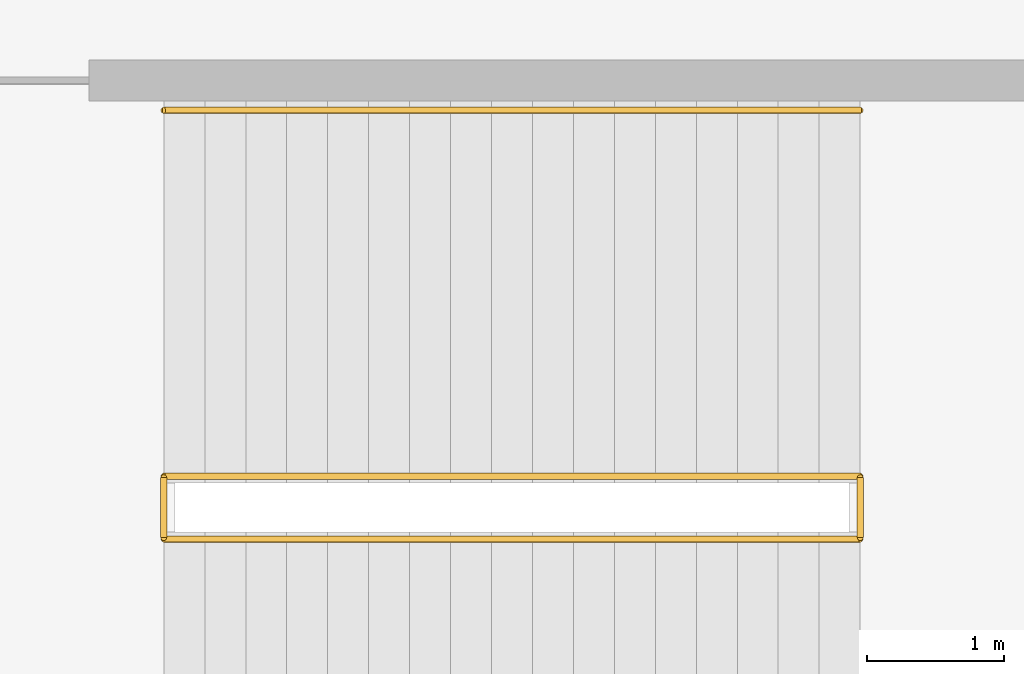
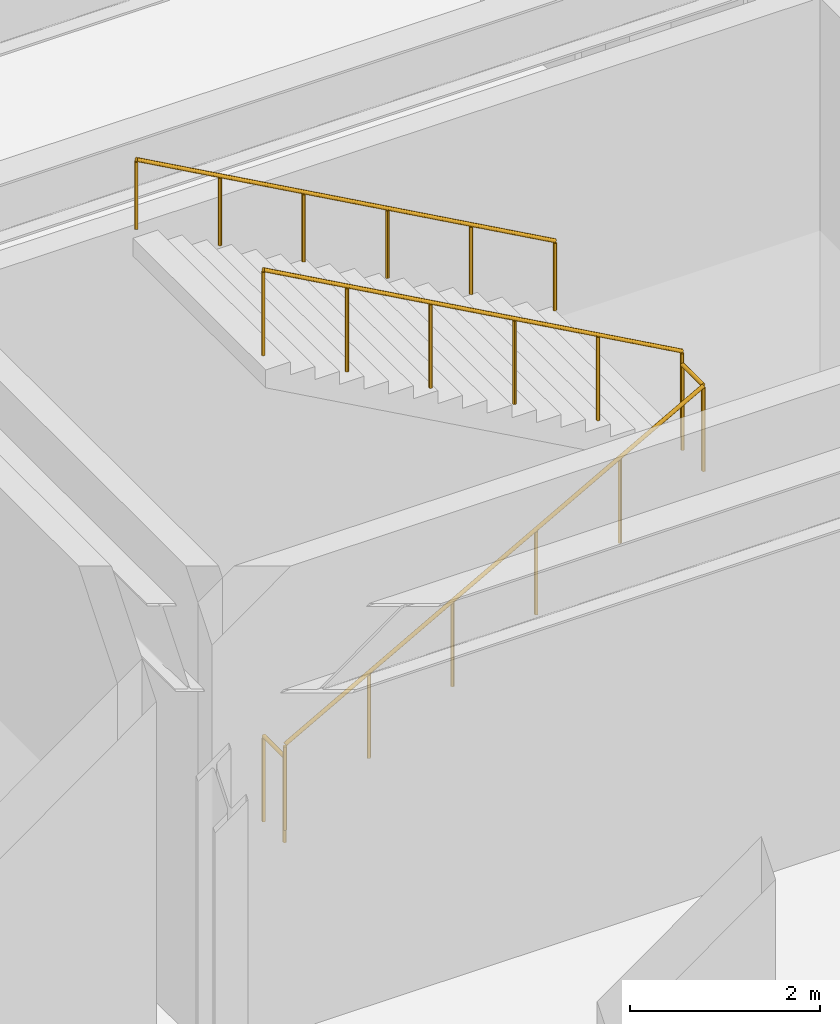
# One storey, part 105 of 105: 5 railings.
"""IFC4 building model written with IfcOpenShell, lengths in metres."""

from ifc_helpers import new_model, si_unit, direction, frame, origin, origin_2d, place, context, subcontext, project, spatial, circle, extrude, material, type_object, element, save


model = new_model("IFC4")

# Units and contexts
model_context = context("Model", 3, precision=1e-05, world=origin(), true_north=direction((0.0, 1.0)))
body_context = subcontext(model_context, "Body", "Model", "MODEL_VIEW")
ifc_project = project(units=[si_unit("LENGTHUNIT", "METRE"), si_unit("AREAUNIT", "SQUARE_METRE"), si_unit("VOLUMEUNIT", "CUBIC_METRE"), si_unit("PLANEANGLEUNIT", "RADIAN"), si_unit("MASSUNIT", "GRAM", prefix="KILO")], contexts=[model_context])

# Site, building, storey
site_placement = place(None, origin())
site = spatial("IfcSite", under=ifc_project, at=site_placement, CompositionType="ELEMENT")
building_placement = place(site_placement, origin())
building = spatial("IfcBuilding", under=site, at=building_placement, Name="Kaldorvane Square Convention Centre", CompositionType="ELEMENT")
storey_placement = place(building_placement, frame((0.0, 0.0, 6.0)))
storey = spatial("IfcBuildingStorey", under=building, at=storey_placement, Name="L01", CompositionType="ELEMENT", Elevation=6.0)

# Railings
ifc_material = material(Name="Architectural Painted Steel", Category="steel")
railing_type_1 = type_object("IfcRailingType", Name="RL-GUARD-1120", PredefinedType="BALUSTRADE", material=ifc_material)
for number, where, name in (
    (1, (128.99000549316406, 75.86000061035156, 0.0), "Convention Exit Stair C18 Floor Well Guard (L01)"),
    (2, (134.08999633789062, 75.86000061035156, 3.0), "Convention Exit Stair C18 Half-Landing Guard (L01)"),
):
    element("IfcRailing", number, at=place(storey_placement, frame(where)), inside=storey, type_object=railing_type_1, Name=name, PredefinedType="BALUSTRADE", context=body_context, shape_type="SweptSolid", body=[
        extrude(circle(Radius=0.0240020751953125, at=origin_2d()), frame((0.0, 0.0, 1.0959930419921875), z_axis=(0.0, 1.0, 0.0), x_axis=(-1.0, 0.0, 0.0)), (0.0, 0.0, 1.0), 0.44000244140625),
        extrude(circle(Radius=0.02099609375, at=origin_2d()), origin(), (0.0, 0.0, 1.0), 1.071990966796875),
        extrude(circle(Radius=0.02099609375, at=origin_2d()), frame((0.0, 0.44000244140625, 0.0)), (0.0, 0.0, 1.0), 1.071990966796875),
    ])
railing_1_placement = place(storey_placement, frame((128.99000549316406, 75.85000610351562, 0.1666717529296875)))
element("IfcRailing", 3, at=railing_1_placement, inside=storey, type_object=railing_type_1, Name="Convention Exit Stair C18 Flight 1 Guard (L01)", PredefinedType="BALUSTRADE", context=body_context, shape_type="SweptSolid", body=[
    extrude(circle(Radius=0.0240020751953125, at=origin_2d()), frame((0.0, 0.0, 1.0959930419921875), z_axis=(0.874157276122, 0.0, 0.485642931179), x_axis=(0.0, 1.0, 0.0)), (0.0, 0.0, 1.0), 5.8341827392578125),
    extrude(circle(Radius=0.02099609375, at=origin_2d()), origin(), (0.0, 0.0, 1.0), 1.071990966796875),
    extrude(circle(Radius=0.02099609375, at=origin_2d()), frame((1.0200042724609375, 0.0, 0.5666656494140625)), (0.0, 0.0, 1.0), 1.071990966796875),
    extrude(circle(Radius=0.02099609375, at=origin_2d()), frame((2.0399932861328125, 0.0, 1.133331298828125)), (0.0, 0.0, 1.0), 1.071990966796875),
    extrude(circle(Radius=0.02099609375, at=origin_2d()), frame((3.05999755859375, 0.0, 1.6999969482421875)), (0.0, 0.0, 1.0), 1.071990966796875),
    extrude(circle(Radius=0.02099609375, at=origin_2d()), frame((4.079986572265625, 0.0, 2.26666259765625)), (0.0, 0.0, 1.0), 1.071990966796875),
    extrude(circle(Radius=0.02099609375, at=origin_2d()), frame((5.0999908447265625, 0.0, 2.8333282470703125)), (0.0, 0.0, 1.0), 1.071990966796875),
])
railing_2_placement = place(storey_placement, frame((134.08999633789062, 76.30999755859375, 3.1666717529296875)))
element("IfcRailing", 4, at=railing_2_placement, inside=storey, type_object=railing_type_1, Name="Convention Exit Stair C18 Flight 2 Guard (L01)", PredefinedType="BALUSTRADE", context=body_context, shape_type="SweptSolid", body=[
    extrude(circle(Radius=0.0240020751953125, at=origin_2d()), frame((0.0, 0.0, 1.0959930419921875), z_axis=(-0.874157276122, 0.0, 0.485642931179), x_axis=(0.0, -1.0, 0.0)), (0.0, 0.0, 1.0), 5.8341827392578125),
    extrude(circle(Radius=0.02099609375, at=origin_2d()), origin(), (0.0, 0.0, 1.0), 1.071990966796875),
    extrude(circle(Radius=0.02099609375, at=origin_2d()), frame((-1.0200042724609375, 0.0, 0.5666656494140625)), (0.0, 0.0, 1.0), 1.071990966796875),
    extrude(circle(Radius=0.02099609375, at=origin_2d()), frame((-2.0399932861328125, 0.0, 1.133331298828125)), (0.0, 0.0, 1.0), 1.071990966796875),
    extrude(circle(Radius=0.02099609375, at=origin_2d()), frame((-3.05999755859375, 0.0, 1.6999969482421875)), (0.0, 0.0, 1.0), 1.071990966796875),
    extrude(circle(Radius=0.02099609375, at=origin_2d()), frame((-4.079986572265625, 0.0, 2.26666259765625)), (0.0, 0.0, 1.0), 1.071990966796875),
    extrude(circle(Radius=0.02099609375, at=origin_2d()), frame((-5.0999908447265625, 0.0, 2.8333282470703125)), (0.0, 0.0, 1.0), 1.071990966796875),
])
railing_type_2 = type_object("IfcRailingType", Name="RL-HAND-915", PredefinedType="HANDRAIL", material=ifc_material)
railing_3_placement = place(storey_placement, frame((134.08999633789062, 78.99000549316406, 3.1666717529296875)))
element("IfcRailing", 5, at=railing_3_placement, inside=storey, type_object=railing_type_2, Name="Convention Exit Stair C18 Wall Handrail 2 (L01)", PredefinedType="HANDRAIL", context=body_context, shape_type="SweptSolid", body=[
    extrude(circle(Radius=0.0240020751953125, at=origin_2d()), frame((0.0, 0.0, 0.8909912109375), z_axis=(-0.874157276122, 0.0, 0.485642931179), x_axis=(0.0, -1.0, 0.0)), (0.0, 0.0, 1.0), 5.8341827392578125),
    extrude(circle(Radius=0.02099609375, at=origin_2d()), origin(), (0.0, 0.0, 1.0), 0.8669891357421875),
    extrude(circle(Radius=0.02099609375, at=origin_2d()), frame((-1.0200042724609375, 0.0, 0.5666656494140625)), (0.0, 0.0, 1.0), 0.8669891357421875),
    extrude(circle(Radius=0.02099609375, at=origin_2d()), frame((-2.0399932861328125, 0.0, 1.133331298828125)), (0.0, 0.0, 1.0), 0.8669891357421875),
    extrude(circle(Radius=0.02099609375, at=origin_2d()), frame((-3.05999755859375, 0.0, 1.6999969482421875)), (0.0, 0.0, 1.0), 0.8669891357421875),
    extrude(circle(Radius=0.02099609375, at=origin_2d()), frame((-4.079986572265625, 0.0, 2.26666259765625)), (0.0, 0.0, 1.0), 0.8669891357421875),
    extrude(circle(Radius=0.02099609375, at=origin_2d()), frame((-5.0999908447265625, 0.0, 2.8333282470703125)), (0.0, 0.0, 1.0), 0.8669891357421875),
])

save(model, "model.ifc")
